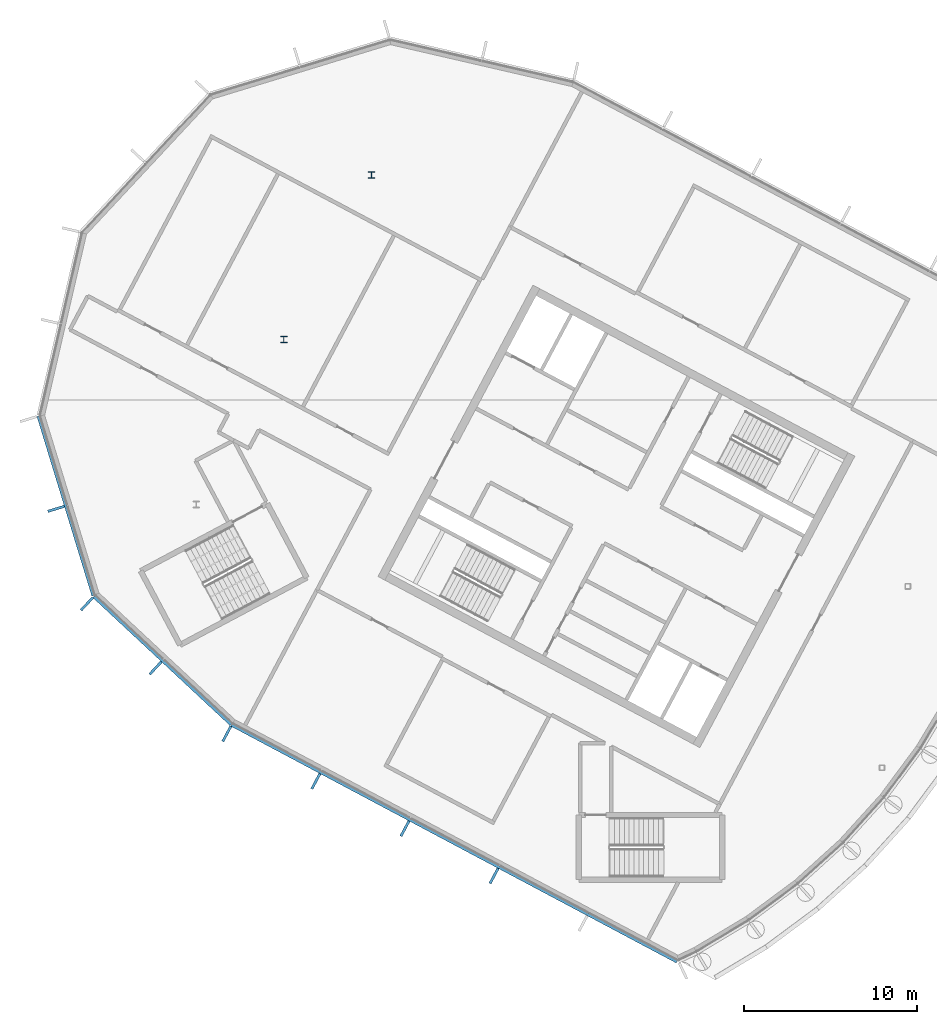
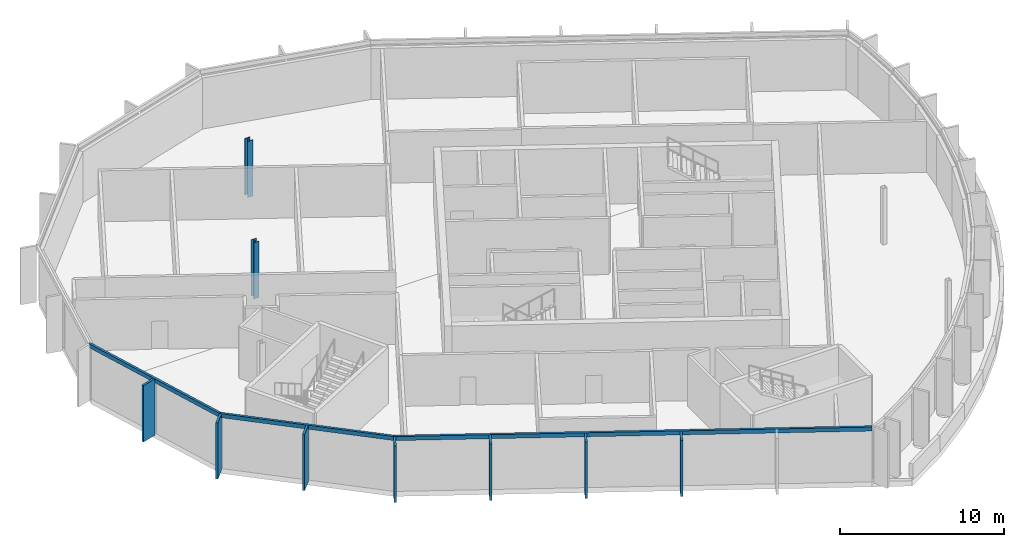
# One storey, part 3 of 12: 10 members, 2 columns, 3 elements without a shape of their own.
"""IFC4 building model written with IfcOpenShell, lengths in metres."""

from ifc_helpers import new_model, si_unit, direction, frame, origin, origin_2d, place, context, subcontext, project, spatial, rectangle, i_section, extrude, material, layer, layer_set, material_profile, profile_set, type_object, element, aggregate, save


model = new_model("IFC4")

# Units and contexts
model_context = context("Model", 3, precision=1e-05, world=origin(), true_north=direction((0.0, 1.0)))
body_context = subcontext(model_context, "Body", "Model", "MODEL_VIEW")
ifc_project = project(units=[si_unit("LENGTHUNIT", "METRE"), si_unit("AREAUNIT", "SQUARE_METRE"), si_unit("VOLUMEUNIT", "CUBIC_METRE"), si_unit("PLANEANGLEUNIT", "RADIAN"), si_unit("MASSUNIT", "GRAM", prefix="KILO")], contexts=[model_context])

# Site, building, storey
site_placement = place(None, origin())
site = spatial("IfcSite", under=ifc_project, at=site_placement, CompositionType="ELEMENT")
building_placement = place(site_placement, origin())
building = spatial("IfcBuilding", under=site, at=building_placement, Name="Cormorant Relay Tower", CompositionType="ELEMENT")
storey_placement = place(building_placement, frame((0.0, 0.0, 349.199951171875)))
storey = spatial("IfcBuildingStorey", under=building, at=storey_placement, Name="C6", CompositionType="ELEMENT", Elevation=349.199951171875)

# Columns
ifc_material_1 = material(Name="Steel ASTM A992 (Fy 345 MPa)", Category="steel")
ifc_material_profile_1 = material_profile(ifc_material_1, i_section(OverallWidth=0.373291015625, OverallDepth=0.373291015625, WebThickness=0.016357421875, FlangeThickness=0.026123046875, FilletRadius=0.01513671875, at=origin_2d()), Name="W360x196")
ifc_profile_set_1 = profile_set([ifc_material_profile_1], Name="Steel ASTM A992 (Fy 345 MPa)")
column_type = type_object("IfcColumnType", Name="Column W360x196", PredefinedType="COLUMN", material=ifc_profile_set_1)
for number, where, z_axis, x_axis, name in (
    (1, (-46.6201171875, 24.7880859375, 0.0), (0.0, 0.0, 1.0), (1.0, 0.0, 0.0), "Column C6-004"),
    (2, (-41.549072265625, 34.323974609375, 0.0), (0.0, 0.0, 1.0), (1.0, 0.0, 0.0), "Column C6-005"),
):
    element("IfcColumn", number, at=place(storey_placement, frame(where, z_axis=z_axis, x_axis=x_axis)), inside=storey, type_object=column_type, Name=name, PredefinedType="COLUMN", context=body_context, shape_type="SweptSolid", body=[
        extrude(i_section(OverallWidth=0.373291015625, OverallDepth=0.373291015625, WebThickness=0.016357421875, FlangeThickness=0.026123046875, FilletRadius=0.01513671875, at=origin_2d()), origin(), (0.0, 0.0, 1.0), 4.199951171875),
    ])

# Curtain wall, members
ifc_material_2 = material(Name="Aluminium 6063-T6 anodised bronze", Category="aluminium")
ifc_layer = layer(ifc_material_2, 0.199951171875)
ifc_layer_set = layer_set([ifc_layer], Name="CW3 crown screen wall")
curtain_wall_type = type_object("IfcCurtainWallType", Name="CW3 crown screen wall", PredefinedType="NOTDEFINED", material=ifc_layer_set)
curtain_wall_1_placement = place(storey_placement, origin())
curtain_wall_1 = element("IfcCurtainWall", 3, at=curtain_wall_1_placement, inside=storey, type_object=curtain_wall_type, Name="CW3 curtain wall 1", PredefinedType="NOTDEFINED")
ifc_material_3 = material(Name="Aluminium 6063-T6 anodised bronze", Category="aluminium")
ifc_material_profile_2 = material_profile(ifc_material_3, rectangle(XDim=0.14990234375, YDim=1.0, at=origin_2d()), Name="AL 150x1000")
ifc_profile_set_2 = profile_set([ifc_material_profile_2], Name="Aluminium 6063-T6 anodised bronze")
member_type_1 = type_object("IfcMemberType", Name="CW3 bronze fin mullion 150 x 1000", PredefinedType="MULLION", material=ifc_profile_set_2)
member_1_placement = place(storey_placement, frame((-49.920166015625, 1.96630859375, 0.0), z_axis=(0.0, 0.0, 1.0), x_axis=(0.882947592859, -0.469471562786, 0.0)))
member_1 = element("IfcMember", 4, at=member_1_placement, type_object=member_type_1, Name="CW3 fin 1.1", PredefinedType="MULLION", context=body_context, shape_type="SweptSolid", body=[
    extrude(rectangle(XDim=0.14990234375, YDim=1.0, at=origin_2d()), origin(), (0.0, 0.0, 1.0), 4.199951171875),
])
member_2_placement = place(storey_placement, frame((-44.764892578125, -0.77490234375, 0.0), z_axis=(0.0, 0.0, 1.0), x_axis=(0.882947592859, -0.469471562786, 0.0)))
member_2 = element("IfcMember", 5, at=member_2_placement, type_object=member_type_1, Name="CW3 fin 1.2", PredefinedType="MULLION", context=body_context, shape_type="SweptSolid", body=[
    extrude(rectangle(XDim=0.14990234375, YDim=1.0, at=origin_2d()), origin(), (0.0, 0.0, 1.0), 4.199951171875),
])
member_3_placement = place(storey_placement, frame((-39.60986328125, -3.515869140625, 0.0), z_axis=(0.0, 0.0, 1.0), x_axis=(0.882947592859, -0.469471562786, 0.0)))
member_3 = element("IfcMember", 6, at=member_3_placement, type_object=member_type_1, Name="CW3 fin 1.3", PredefinedType="MULLION", context=body_context, shape_type="SweptSolid", body=[
    extrude(rectangle(XDim=0.14990234375, YDim=1.0, at=origin_2d()), origin(), (0.0, 0.0, 1.0), 4.199951171875),
])
member_4_placement = place(storey_placement, frame((-34.45458984375, -6.257080078125, 0.0), z_axis=(0.0, 0.0, 1.0), x_axis=(0.882947592859, -0.469471562786, 0.0)))
member_4 = element("IfcMember", 7, at=member_4_placement, type_object=member_type_1, Name="CW3 fin 1.4", PredefinedType="MULLION", context=body_context, shape_type="SweptSolid", body=[
    extrude(rectangle(XDim=0.14990234375, YDim=1.0, at=origin_2d()), origin(), (0.0, 0.0, 1.0), 4.199951171875),
])

# Curtain wall, member
curtain_wall_2_placement = place(storey_placement, origin())
curtain_wall_2 = element("IfcCurtainWall", 8, at=curtain_wall_2_placement, inside=storey, type_object=curtain_wall_type, Name="CW3 curtain wall 21", PredefinedType="NOTDEFINED")
member_5_placement = place(storey_placement, frame((-59.80029296875, 14.990966796875, 0.0), z_axis=(0.0, 0.0, 1.0), x_axis=(0.292371704723, -0.956304755963, 0.0)))
member_5 = element("IfcMember", 9, at=member_5_placement, type_object=member_type_1, Name="CW3 fin 21.2", PredefinedType="MULLION", context=body_context, shape_type="SweptSolid", body=[
    extrude(rectangle(XDim=0.14990234375, YDim=1.0, at=origin_2d()), origin(), (0.0, 0.0, 1.0), 4.199951171875),
])

# Curtain wall, members
curtain_wall_3_placement = place(storey_placement, origin())
curtain_wall_3 = element("IfcCurtainWall", 10, at=curtain_wall_3_placement, inside=storey, type_object=curtain_wall_type, Name="CW3 curtain wall 22", PredefinedType="NOTDEFINED")
member_6_placement = place(storey_placement, frame((-58.01904296875, 9.486083984375, 0.0), z_axis=(0.0, 0.0, 1.0), x_axis=(0.731353701619, -0.681998360062, 0.0)))
member_6 = element("IfcMember", 11, at=member_6_placement, type_object=member_type_1, Name="CW3 fin 22.1", PredefinedType="MULLION", context=body_context, shape_type="SweptSolid", body=[
    extrude(rectangle(XDim=0.14990234375, YDim=1.0, at=origin_2d()), origin(), (0.0, 0.0, 1.0), 4.199951171875),
])
member_7_placement = place(storey_placement, frame((-54.0439453125, 5.779296875, 0.0), z_axis=(0.0, 0.0, 1.0), x_axis=(0.731353701619, -0.681998360062, 0.0)))
member_7 = element("IfcMember", 12, at=member_7_placement, type_object=member_type_1, Name="CW3 fin 22.2", PredefinedType="MULLION", context=body_context, shape_type="SweptSolid", body=[
    extrude(rectangle(XDim=0.14990234375, YDim=1.0, at=origin_2d()), origin(), (0.0, 0.0, 1.0), 4.199951171875),
])

# Member
ifc_material_4 = material(Name="Aluminium 6063-T6 anodised bronze", Category="aluminium")
ifc_material_profile_3 = material_profile(ifc_material_4, rectangle(XDim=0.159912109375, YDim=0.300048828125, at=origin_2d()), Name="AL 160x300")
ifc_profile_set_3 = profile_set([ifc_material_profile_3], Name="Aluminium 6063-T6 anodised bronze")
member_type_2 = type_object("IfcMemberType", Name="CW3 bronze transom 160 x 300", PredefinedType="USERDEFINED", material=ifc_profile_set_3)
member_8_placement = place(storey_placement, frame((-49.64794921875, 2.478515625, 4.050048828125), z_axis=(0.882945339872, -0.469475800014, 0.0), x_axis=(0.469475800014, 0.882945339872, 0.0)))
member_8 = element("IfcMember", 13, at=member_8_placement, type_object=member_type_2, Name="CW3 transom 1", ObjectType="TRANSOM", PredefinedType="USERDEFINED", context=body_context, shape_type="SweptSolid", body=[
    extrude(rectangle(XDim=0.159912109375, YDim=0.300048828125, at=origin_2d()), origin(), (0.0, 0.0, 1.0), 29.193359375),
])

aggregate(curtain_wall_1, [member_1, member_2, member_3, member_4, member_8])

member_9_placement = place(storey_placement, frame((-60.834716796875, 20.358154296875, 4.050048828125), z_axis=(0.292377729282, -0.95630291405, 0.0), x_axis=(0.95630291405, 0.292377729282, 0.0)))
member_9 = element("IfcMember", 14, at=member_9_placement, type_object=member_type_2, Name="CW3 transom 21", ObjectType="TRANSOM", PredefinedType="USERDEFINED", context=body_context, shape_type="SweptSolid", body=[
    extrude(rectangle(XDim=0.159912109375, YDim=0.300048828125, at=origin_2d()), origin(), (0.0, 0.0, 1.0), 10.870361328125),
])

aggregate(curtain_wall_2, [member_5, member_9])

member_10_placement = place(storey_placement, frame((-57.62353515625, 9.91015625, 4.050048828125), z_axis=(0.731358420696, -0.681993299437, 0.0), x_axis=(0.681993299437, 0.731358420696, 0.0)))
member_10 = element("IfcMember", 15, at=member_10_placement, type_object=member_type_2, Name="CW3 transom 22", ObjectType="TRANSOM", PredefinedType="USERDEFINED", context=body_context, shape_type="SweptSolid", body=[
    extrude(rectangle(XDim=0.159912109375, YDim=0.300048828125, at=origin_2d()), origin(), (0.0, 0.0, 1.0), 10.870361328125),
])

aggregate(curtain_wall_3, [member_6, member_7, member_10])

save(model, "model.ifc")
